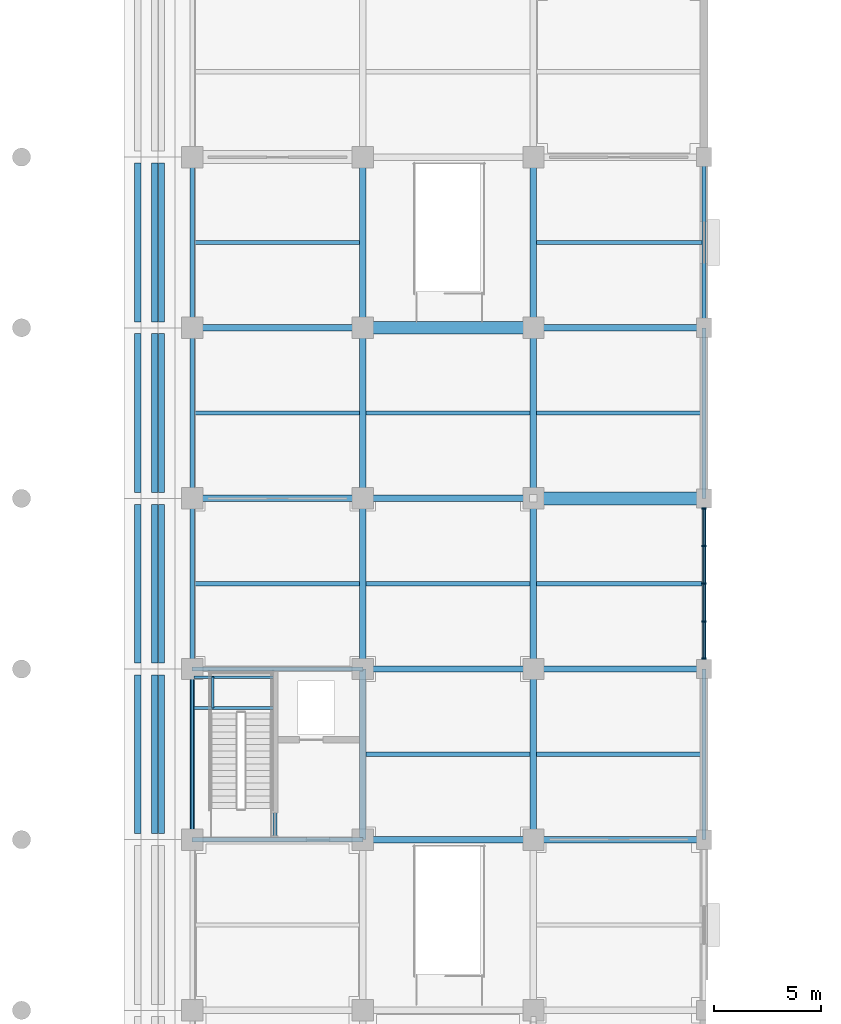
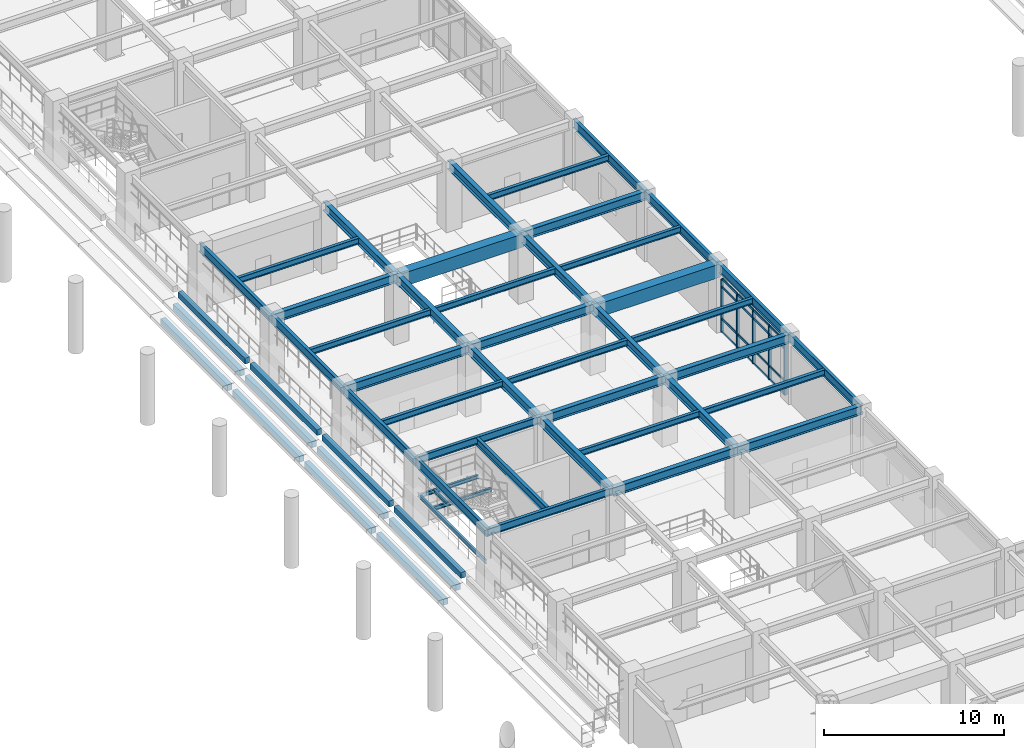
# One storey, part 35 of 117: 55 beams, 21 members, 1 element without a shape of its own.
"""IFC4 building model written with IfcOpenShell, lengths in metres."""

from ifc_helpers import new_model, si_unit, direction, frame, origin, origin_2d, place, context, subcontext, project, spatial, rectangle, i_section, extrude, material, layer, layer_set, material_profile, profile_set, type_object, element, aggregate, save


model = new_model("IFC4")

# Units and contexts
model_context = context("Model", 3, precision=1e-05, world=origin(), true_north=direction((0.0, 1.0)))
body_context = subcontext(model_context, "Body", "Model", "MODEL_VIEW")
ifc_project = project(units=[si_unit("LENGTHUNIT", "METRE"), si_unit("AREAUNIT", "SQUARE_METRE"), si_unit("VOLUMEUNIT", "CUBIC_METRE"), si_unit("PLANEANGLEUNIT", "RADIAN"), si_unit("MASSUNIT", "GRAM", prefix="KILO")], contexts=[model_context])

# Site, building, storey
site_placement = place(None, origin())
site = spatial("IfcSite", under=ifc_project, at=site_placement, CompositionType="ELEMENT")
building_placement = place(site_placement, origin())
building = spatial("IfcBuilding", under=site, at=building_placement, Name="Haebicheon Civic Stadium", CompositionType="ELEMENT")
storey_placement = place(building_placement, frame((0.0, 0.0, 4.800048828125)))
storey = spatial("IfcBuildingStorey", under=building, at=storey_placement, Name="L02", CompositionType="ELEMENT", Elevation=4.800048828125)

# Beams
ifc_material_1 = material(Name="Precast concrete C40/50", Category="concrete")
ifc_material_profile_1 = material_profile(ifc_material_1, rectangle(XDim=0.300048828125, YDim=0.39990234375, at=origin_2d()), Name="PC-LN-300x400")
ifc_profile_set_1 = profile_set([ifc_material_profile_1], Name="Precast concrete C40/50")
beam_type_1 = type_object("IfcBeamType", Name="BM-LN-300x400", PredefinedType="LINTEL", material=ifc_profile_set_1)
for number, where, z_axis, x_axis, name in (
    (1, (141.43994140625, 64.280029296875, 0.22705078125), (0.0, 1.0, 0.0), (-1.0, 0.0, 0.0), "TIER-E-L precast step carrier beam 3.7"),
    (2, (142.239990234375, 64.280029296875, 0.93798828125), (0.0, 1.0, 0.0), (-1.0, 0.0, 0.0), "TIER-E-L precast step carrier beam 3.8"),
    (3, (142.56005859375, 64.280029296875, 1.64892578125), (0.0, 1.0, 0.0), (-1.0, 0.0, 0.0), "TIER-E-L precast step carrier beam 3.9"),
    (4, (141.43994140625, 72.280029296875, 0.22705078125), (0.0, 1.0, 0.0), (-1.0, 0.0, 0.0), "TIER-E-L precast step carrier beam 4.7"),
    (5, (142.239990234375, 72.280029296875, 0.93798828125), (0.0, 1.0, 0.0), (-1.0, 0.0, 0.0), "TIER-E-L precast step carrier beam 4.8"),
    (6, (142.56005859375, 72.280029296875, 1.64892578125), (0.0, 1.0, 0.0), (-1.0, 0.0, 0.0), "TIER-E-L precast step carrier beam 4.9"),
    (7, (141.43994140625, 80.280029296875, 0.22705078125), (0.0, 1.0, 0.0), (-1.0, 0.0, 0.0), "TIER-E-L precast step carrier beam 5.7"),
    (8, (142.239990234375, 80.280029296875, 0.93798828125), (0.0, 1.0, 0.0), (-1.0, 0.0, 0.0), "TIER-E-L precast step carrier beam 5.8"),
    (9, (142.56005859375, 80.280029296875, 1.64892578125), (0.0, 1.0, 0.0), (-1.0, 0.0, 0.0), "TIER-E-L precast step carrier beam 5.9"),
    (10, (141.43994140625, 88.280029296875, 0.22705078125), (0.0, 1.0, 0.0), (-1.0, 0.0, 0.0), "TIER-E-L precast step carrier beam 6.7"),
    (11, (142.239990234375, 88.280029296875, 0.93798828125), (0.0, 1.0, 0.0), (-1.0, 0.0, 0.0), "TIER-E-L precast step carrier beam 6.8"),
    (12, (142.56005859375, 88.280029296875, 1.64892578125), (0.0, 1.0, 0.0), (-1.0, 0.0, 0.0), "TIER-E-L precast step carrier beam 6.9"),
):
    element("IfcBeam", number, at=place(storey_placement, frame(where, z_axis=z_axis, x_axis=x_axis)), inside=storey, type_object=beam_type_1, material=ifc_profile_set_1, Name=name, PredefinedType="LINTEL", context=body_context, shape_type="SweptSolid", body=[
        extrude(rectangle(XDim=0.300048828125, YDim=0.39990234375, at=origin_2d()), origin(), (0.0, 0.0, 1.0), 7.43994140625),
    ])
ifc_material_2 = material(Name="Concrete C40/50", Category="concrete")
ifc_material_profile_2 = material_profile(ifc_material_2, rectangle(XDim=0.60009765625, YDim=0.89990234375, at=origin_2d()), Name="RC-BM-600x900")
ifc_profile_set_2 = profile_set([ifc_material_profile_2], Name="Concrete C40/50")
beam_type_2 = type_object("IfcBeamType", Name="BM-RC-600x900", PredefinedType="BEAM", material=ifc_profile_set_2)
for number, where, z_axis, x_axis, name in (
    (13, (152.0, 88.0, 4.070068359375), (1.0, 0.0, 0.0), (0.0, 1.0, 0.0), "L02 beam M/20-21"),
    (14, (160.0, 80.0, 4.070068359375), (1.0, 0.0, 0.0), (0.0, 1.0, 0.0), "L02 beam L/21-22"),
):
    element("IfcBeam", number, at=place(storey_placement, frame(where, z_axis=z_axis, x_axis=x_axis)), inside=storey, type_object=beam_type_2, material=ifc_profile_set_2, Name=name, PredefinedType="BEAM", context=body_context, shape_type="SweptSolid", body=[
        extrude(rectangle(XDim=0.60009765625, YDim=0.89990234375, at=origin_2d()), origin(), (0.0, 0.0, 1.0), 8.0),
    ])
ifc_material_3 = material(Name="Steel SM355 (S355)", Category="steel")
ifc_material_profile_3 = material_profile(ifc_material_3, i_section(OverallWidth=0.199951171875, OverallDepth=0.5, WebThickness=0.010009765625, FlangeThickness=0.01611328125, at=origin_2d()), Name="H-500x200x10x16")
ifc_profile_set_3 = profile_set([ifc_material_profile_3], Name="Steel SM355 (S355)")
beam_type_3 = type_object("IfcBeamType", Name="BM-ST-H500", PredefinedType="BEAM", material=ifc_profile_set_3)
for number, where, z_axis, x_axis, name in (
    (15, (144.0, 64.0, 4.27001953125), (1.0, 0.0, 0.0), (0.0, 1.0, 0.0), "L02 beam J/19-20"),
    (16, (144.0, 72.0, 4.27001953125), (1.0, 0.0, 0.0), (0.0, 1.0, 0.0), "L02 beam K/19-20"),
):
    element("IfcBeam", number, at=place(storey_placement, frame(where, z_axis=z_axis, x_axis=x_axis)), inside=storey, type_object=beam_type_3, material=ifc_profile_set_3, Name=name, PredefinedType="BEAM", context=body_context, shape_type="SweptSolid", body=[
        extrude(i_section(OverallWidth=0.199951171875, OverallDepth=0.5, WebThickness=0.010009765625, FlangeThickness=0.01611328125, at=origin_2d()), origin(), (0.0, 0.0, 1.0), 8.0),
    ])
beam_1_placement = place(storey_placement, frame((147.8798828125, 64.10009765625, 4.27001953125), z_axis=(0.0, 1.0, 0.0), x_axis=(-1.0, 0.0, 0.0)))
element("IfcBeam", 17, at=beam_1_placement, inside=storey, type_object=beam_type_3, material=ifc_profile_set_3, Name="L02 KC-10 core dividing wall support beam", PredefinedType="BEAM", context=body_context, shape_type="SweptSolid", body=[
    extrude(i_section(OverallWidth=0.199951171875, OverallDepth=0.5, WebThickness=0.010009765625, FlangeThickness=0.01611328125, at=origin_2d()), origin(), (0.0, 0.0, 1.0), 7.7998046875),
])
ifc_material_4 = material(Name="Steel SM355 (S355)", Category="steel")
ifc_material_profile_4 = material_profile(ifc_material_4, i_section(OverallWidth=0.300048828125, OverallDepth=0.60009765625, WebThickness=0.011962890625, FlangeThickness=0.02001953125, at=origin_2d()), Name="H-600x300x12x20")
ifc_profile_set_4 = profile_set([ifc_material_profile_4], Name="Steel SM355 (S355)")
beam_type_4 = type_object("IfcBeamType", Name="BM-ST-H600A", PredefinedType="BEAM", material=ifc_profile_set_4)
for number, where, z_axis, x_axis, name in (
    (18, (152.0, 64.0, 4.219970703125), (0.0, 1.0, 0.0), (-1.0, 0.0, 0.0), "L02 girder 20/J-K"),
    (19, (152.0, 72.0, 4.219970703125), (0.0, 1.0, 0.0), (-1.0, 0.0, 0.0), "L02 girder 20/K-L"),
    (20, (152.0, 80.0, 4.219970703125), (0.0, 1.0, 0.0), (-1.0, 0.0, 0.0), "L02 girder 20/L-M"),
    (21, (152.0, 88.0, 4.219970703125), (0.0, 1.0, 0.0), (-1.0, 0.0, 0.0), "L02 girder 20/M-N"),
    (22, (160.0, 64.0, 4.219970703125), (0.0, 1.0, 0.0), (-1.0, 0.0, 0.0), "L02 girder 21/J-K"),
    (23, (160.0, 72.0, 4.219970703125), (0.0, 1.0, 0.0), (-1.0, 0.0, 0.0), "L02 girder 21/K-L"),
    (24, (160.0, 80.0, 4.219970703125), (0.0, 1.0, 0.0), (-1.0, 0.0, 0.0), "L02 girder 21/L-M"),
    (25, (160.0, 88.0, 4.219970703125), (0.0, 1.0, 0.0), (-1.0, 0.0, 0.0), "L02 girder 21/M-N"),
    (26, (144.0, 80.0, 4.219970703125), (1.0, 0.0, 0.0), (0.0, 1.0, 0.0), "L02 beam L/19-20"),
    (27, (144.0, 88.0, 4.219970703125), (1.0, 0.0, 0.0), (0.0, 1.0, 0.0), "L02 beam M/19-20"),
    (28, (152.0, 64.0, 4.219970703125), (1.0, 0.0, 0.0), (0.0, 1.0, 0.0), "L02 beam J/20-21"),
    (29, (152.0, 72.0, 4.219970703125), (1.0, 0.0, 0.0), (0.0, 1.0, 0.0), "L02 beam K/20-21"),
    (30, (152.0, 80.0, 4.219970703125), (1.0, 0.0, 0.0), (0.0, 1.0, 0.0), "L02 beam L/20-21"),
    (31, (160.0, 64.0, 4.219970703125), (1.0, 0.0, 0.0), (0.0, 1.0, 0.0), "L02 beam J/21-22"),
    (32, (160.0, 72.0, 4.219970703125), (1.0, 0.0, 0.0), (0.0, 1.0, 0.0), "L02 beam K/21-22"),
    (33, (160.0, 88.0, 4.219970703125), (1.0, 0.0, 0.0), (0.0, 1.0, 0.0), "L02 beam M/21-22"),
):
    element("IfcBeam", number, at=place(storey_placement, frame(where, z_axis=z_axis, x_axis=x_axis)), inside=storey, type_object=beam_type_4, material=ifc_profile_set_4, Name=name, PredefinedType="BEAM", context=body_context, shape_type="SweptSolid", body=[
        extrude(i_section(OverallWidth=0.300048828125, OverallDepth=0.60009765625, WebThickness=0.011962890625, FlangeThickness=0.02001953125, at=origin_2d()), origin(), (0.0, 0.0, 1.0), 8.0),
    ])

# Curtain wall, members
ifc_material_5 = material(Name="Anodised aluminium and laminated glass", Category="aluminium")
ifc_layer = layer(ifc_material_5, 0.179931640625, Name="Anodised aluminium and laminated glass")
ifc_layer_set = layer_set([ifc_layer], Name="Anodised aluminium and laminated glass")
curtain_wall_type = type_object("IfcCurtainWallType", Name="CW-7100x3610", PredefinedType="NOTDEFINED", material=ifc_layer_set)
curtain_wall_placement = place(storey_placement, origin())
curtain_wall = element("IfcCurtainWall", 34, at=curtain_wall_placement, inside=storey, type_object=curtain_wall_type, material=ifc_layer_set, Name="L02 unitised curtain wall 055", PredefinedType="NOTDEFINED")
ifc_material_6 = material(Name="Anodised aluminium 6063-T6", Category="aluminium")
ifc_material_profile_5 = material_profile(ifc_material_6, rectangle(XDim=0.070068359375, YDim=0.199951171875, at=origin_2d()), Name="ALU-MULL-70x200")
ifc_profile_set_5 = profile_set([ifc_material_profile_5], Name="Anodised aluminium 6063-T6")
member_type_1 = type_object("IfcMemberType", Name="CWM-200x70", PredefinedType="MULLION", material=ifc_profile_set_5)
member_1_placement = place(storey_placement, frame((168.0, 72.485107421875, 0.0), z_axis=(0.0, 0.0, 1.0), x_axis=(0.0, 1.0, 0.0)))
member_1 = element("IfcMember", 35, at=member_1_placement, type_object=member_type_1, material=ifc_profile_set_5, Name="CW-L02-055 vertical mullion 1", PredefinedType="MULLION", context=body_context, shape_type="SweptSolid", body=[
    extrude(rectangle(XDim=0.070068359375, YDim=0.199951171875, at=origin_2d()), origin(), (0.0, 0.0, 1.0), 3.60986328125),
])
member_2_placement = place(storey_placement, frame((168.0, 74.22509765625, 0.0), z_axis=(0.0, 0.0, 1.0), x_axis=(0.0, 1.0, 0.0)))
member_2 = element("IfcMember", 36, at=member_2_placement, type_object=member_type_1, material=ifc_profile_set_5, Name="CW-L02-055 vertical mullion 2", PredefinedType="MULLION", context=body_context, shape_type="SweptSolid", body=[
    extrude(rectangle(XDim=0.070068359375, YDim=0.199951171875, at=origin_2d()), origin(), (0.0, 0.0, 1.0), 3.60986328125),
])
member_3_placement = place(storey_placement, frame((168.0, 76.0, 0.0), z_axis=(0.0, 0.0, 1.0), x_axis=(0.0, 1.0, 0.0)))
member_3 = element("IfcMember", 37, at=member_3_placement, type_object=member_type_1, material=ifc_profile_set_5, Name="CW-L02-055 vertical mullion 3", PredefinedType="MULLION", context=body_context, shape_type="SweptSolid", body=[
    extrude(rectangle(XDim=0.070068359375, YDim=0.199951171875, at=origin_2d()), origin(), (0.0, 0.0, 1.0), 3.60986328125),
])
member_4_placement = place(storey_placement, frame((168.0, 77.77490234375, 0.0), z_axis=(0.0, 0.0, 1.0), x_axis=(0.0, 1.0, 0.0)))
member_4 = element("IfcMember", 38, at=member_4_placement, type_object=member_type_1, material=ifc_profile_set_5, Name="CW-L02-055 vertical mullion 4", PredefinedType="MULLION", context=body_context, shape_type="SweptSolid", body=[
    extrude(rectangle(XDim=0.070068359375, YDim=0.199951171875, at=origin_2d()), origin(), (0.0, 0.0, 1.0), 3.60986328125),
])
member_5_placement = place(storey_placement, frame((168.0, 79.514892578125, 0.0), z_axis=(0.0, 0.0, 1.0), x_axis=(0.0, 1.0, 0.0)))
member_5 = element("IfcMember", 39, at=member_5_placement, type_object=member_type_1, material=ifc_profile_set_5, Name="CW-L02-055 vertical mullion 5", PredefinedType="MULLION", context=body_context, shape_type="SweptSolid", body=[
    extrude(rectangle(XDim=0.070068359375, YDim=0.199951171875, at=origin_2d()), origin(), (0.0, 0.0, 1.0), 3.60986328125),
])
ifc_material_7 = material(Name="Anodised aluminium 6063-T6", Category="aluminium")
ifc_material_profile_6 = material_profile(ifc_material_7, rectangle(XDim=0.070068359375, YDim=0.14990234375, at=origin_2d()), Name="ALU-TRAN-70x150")
ifc_profile_set_6 = profile_set([ifc_material_profile_6], Name="Anodised aluminium 6063-T6")
member_type_2 = type_object("IfcMemberType", Name="CWT-150x70", PredefinedType="NOTDEFINED", material=ifc_profile_set_6)
member_6_placement = place(storey_placement, frame((168.0, 72.52001953125, 0.0), z_axis=(0.0, 1.0, 0.0), x_axis=(-1.0, 0.0, 0.0)))
member_6 = element("IfcMember", 40, at=member_6_placement, type_object=member_type_2, material=ifc_profile_set_6, Name="CW-L02-055 horizontal transom 1.1", ObjectType="TRANSOM", PredefinedType="USERDEFINED", context=body_context, shape_type="SweptSolid", body=[
    extrude(rectangle(XDim=0.070068359375, YDim=0.14990234375, at=origin_2d()), origin(), (0.0, 0.0, 1.0), 1.669921875),
])
member_7_placement = place(storey_placement, frame((168.0, 72.52001953125, 0.89990234375), z_axis=(0.0, 1.0, 0.0), x_axis=(-1.0, 0.0, 0.0)))
member_7 = element("IfcMember", 41, at=member_7_placement, type_object=member_type_2, material=ifc_profile_set_6, Name="CW-L02-055 horizontal transom 1.2", ObjectType="TRANSOM", PredefinedType="USERDEFINED", context=body_context, shape_type="SweptSolid", body=[
    extrude(rectangle(XDim=0.070068359375, YDim=0.14990234375, at=origin_2d()), origin(), (0.0, 0.0, 1.0), 1.669921875),
])
member_8_placement = place(storey_placement, frame((168.0, 72.52001953125, 3.06005859375), z_axis=(0.0, 1.0, 0.0), x_axis=(-1.0, 0.0, 0.0)))
member_8 = element("IfcMember", 42, at=member_8_placement, type_object=member_type_2, material=ifc_profile_set_6, Name="CW-L02-055 horizontal transom 1.3", ObjectType="TRANSOM", PredefinedType="USERDEFINED", context=body_context, shape_type="SweptSolid", body=[
    extrude(rectangle(XDim=0.070068359375, YDim=0.14990234375, at=origin_2d()), origin(), (0.0, 0.0, 1.0), 1.669921875),
])
member_9_placement = place(storey_placement, frame((168.0, 72.52001953125, 3.60986328125), z_axis=(0.0, 1.0, 0.0), x_axis=(-1.0, 0.0, 0.0)))
member_9 = element("IfcMember", 43, at=member_9_placement, type_object=member_type_2, material=ifc_profile_set_6, Name="CW-L02-055 horizontal transom 1.4", ObjectType="TRANSOM", PredefinedType="USERDEFINED", context=body_context, shape_type="SweptSolid", body=[
    extrude(rectangle(XDim=0.070068359375, YDim=0.14990234375, at=origin_2d()), origin(), (0.0, 0.0, 1.0), 1.669921875),
])
member_10_placement = place(storey_placement, frame((168.0, 74.260009765625, 0.0), z_axis=(0.0, 1.0, 0.0), x_axis=(-1.0, 0.0, 0.0)))
member_10 = element("IfcMember", 44, at=member_10_placement, type_object=member_type_2, material=ifc_profile_set_6, Name="CW-L02-055 horizontal transom 2.1", ObjectType="TRANSOM", PredefinedType="USERDEFINED", context=body_context, shape_type="SweptSolid", body=[
    extrude(rectangle(XDim=0.070068359375, YDim=0.14990234375, at=origin_2d()), origin(), (0.0, 0.0, 1.0), 1.705078125),
])
member_11_placement = place(storey_placement, frame((168.0, 74.260009765625, 0.89990234375), z_axis=(0.0, 1.0, 0.0), x_axis=(-1.0, 0.0, 0.0)))
member_11 = element("IfcMember", 45, at=member_11_placement, type_object=member_type_2, material=ifc_profile_set_6, Name="CW-L02-055 horizontal transom 2.2", ObjectType="TRANSOM", PredefinedType="USERDEFINED", context=body_context, shape_type="SweptSolid", body=[
    extrude(rectangle(XDim=0.070068359375, YDim=0.14990234375, at=origin_2d()), origin(), (0.0, 0.0, 1.0), 1.705078125),
])
member_12_placement = place(storey_placement, frame((168.0, 74.260009765625, 3.06005859375), z_axis=(0.0, 1.0, 0.0), x_axis=(-1.0, 0.0, 0.0)))
member_12 = element("IfcMember", 46, at=member_12_placement, type_object=member_type_2, material=ifc_profile_set_6, Name="CW-L02-055 horizontal transom 2.3", ObjectType="TRANSOM", PredefinedType="USERDEFINED", context=body_context, shape_type="SweptSolid", body=[
    extrude(rectangle(XDim=0.070068359375, YDim=0.14990234375, at=origin_2d()), origin(), (0.0, 0.0, 1.0), 1.705078125),
])
member_13_placement = place(storey_placement, frame((168.0, 74.260009765625, 3.60986328125), z_axis=(0.0, 1.0, 0.0), x_axis=(-1.0, 0.0, 0.0)))
member_13 = element("IfcMember", 47, at=member_13_placement, type_object=member_type_2, material=ifc_profile_set_6, Name="CW-L02-055 horizontal transom 2.4", ObjectType="TRANSOM", PredefinedType="USERDEFINED", context=body_context, shape_type="SweptSolid", body=[
    extrude(rectangle(XDim=0.070068359375, YDim=0.14990234375, at=origin_2d()), origin(), (0.0, 0.0, 1.0), 1.705078125),
])
member_14_placement = place(storey_placement, frame((168.0, 76.034912109375, 0.0), z_axis=(0.0, 1.0, 0.0), x_axis=(-1.0, 0.0, 0.0)))
member_14 = element("IfcMember", 48, at=member_14_placement, type_object=member_type_2, material=ifc_profile_set_6, Name="CW-L02-055 horizontal transom 3.1", ObjectType="TRANSOM", PredefinedType="USERDEFINED", context=body_context, shape_type="SweptSolid", body=[
    extrude(rectangle(XDim=0.070068359375, YDim=0.14990234375, at=origin_2d()), origin(), (0.0, 0.0, 1.0), 1.705078125),
])
member_15_placement = place(storey_placement, frame((168.0, 76.034912109375, 0.89990234375), z_axis=(0.0, 1.0, 0.0), x_axis=(-1.0, 0.0, 0.0)))
member_15 = element("IfcMember", 49, at=member_15_placement, type_object=member_type_2, material=ifc_profile_set_6, Name="CW-L02-055 horizontal transom 3.2", ObjectType="TRANSOM", PredefinedType="USERDEFINED", context=body_context, shape_type="SweptSolid", body=[
    extrude(rectangle(XDim=0.070068359375, YDim=0.14990234375, at=origin_2d()), origin(), (0.0, 0.0, 1.0), 1.705078125),
])
member_16_placement = place(storey_placement, frame((168.0, 76.034912109375, 3.06005859375), z_axis=(0.0, 1.0, 0.0), x_axis=(-1.0, 0.0, 0.0)))
member_16 = element("IfcMember", 50, at=member_16_placement, type_object=member_type_2, material=ifc_profile_set_6, Name="CW-L02-055 horizontal transom 3.3", ObjectType="TRANSOM", PredefinedType="USERDEFINED", context=body_context, shape_type="SweptSolid", body=[
    extrude(rectangle(XDim=0.070068359375, YDim=0.14990234375, at=origin_2d()), origin(), (0.0, 0.0, 1.0), 1.705078125),
])
member_17_placement = place(storey_placement, frame((168.0, 76.034912109375, 3.60986328125), z_axis=(0.0, 1.0, 0.0), x_axis=(-1.0, 0.0, 0.0)))
member_17 = element("IfcMember", 51, at=member_17_placement, type_object=member_type_2, material=ifc_profile_set_6, Name="CW-L02-055 horizontal transom 3.4", ObjectType="TRANSOM", PredefinedType="USERDEFINED", context=body_context, shape_type="SweptSolid", body=[
    extrude(rectangle(XDim=0.070068359375, YDim=0.14990234375, at=origin_2d()), origin(), (0.0, 0.0, 1.0), 1.705078125),
])
member_18_placement = place(storey_placement, frame((168.0, 77.81005859375, 0.0), z_axis=(0.0, 1.0, 0.0), x_axis=(-1.0, 0.0, 0.0)))
member_18 = element("IfcMember", 52, at=member_18_placement, type_object=member_type_2, material=ifc_profile_set_6, Name="CW-L02-055 horizontal transom 4.1", ObjectType="TRANSOM", PredefinedType="USERDEFINED", context=body_context, shape_type="SweptSolid", body=[
    extrude(rectangle(XDim=0.070068359375, YDim=0.14990234375, at=origin_2d()), origin(), (0.0, 0.0, 1.0), 1.669921875),
])
member_19_placement = place(storey_placement, frame((168.0, 77.81005859375, 0.89990234375), z_axis=(0.0, 1.0, 0.0), x_axis=(-1.0, 0.0, 0.0)))
member_19 = element("IfcMember", 53, at=member_19_placement, type_object=member_type_2, material=ifc_profile_set_6, Name="CW-L02-055 horizontal transom 4.2", ObjectType="TRANSOM", PredefinedType="USERDEFINED", context=body_context, shape_type="SweptSolid", body=[
    extrude(rectangle(XDim=0.070068359375, YDim=0.14990234375, at=origin_2d()), origin(), (0.0, 0.0, 1.0), 1.669921875),
])
member_20_placement = place(storey_placement, frame((168.0, 77.81005859375, 3.06005859375), z_axis=(0.0, 1.0, 0.0), x_axis=(-1.0, 0.0, 0.0)))
member_20 = element("IfcMember", 54, at=member_20_placement, type_object=member_type_2, material=ifc_profile_set_6, Name="CW-L02-055 horizontal transom 4.3", ObjectType="TRANSOM", PredefinedType="USERDEFINED", context=body_context, shape_type="SweptSolid", body=[
    extrude(rectangle(XDim=0.070068359375, YDim=0.14990234375, at=origin_2d()), origin(), (0.0, 0.0, 1.0), 1.669921875),
])
member_21_placement = place(storey_placement, frame((168.0, 77.81005859375, 3.60986328125), z_axis=(0.0, 1.0, 0.0), x_axis=(-1.0, 0.0, 0.0)))
member_21 = element("IfcMember", 55, at=member_21_placement, type_object=member_type_2, material=ifc_profile_set_6, Name="CW-L02-055 horizontal transom 4.4", ObjectType="TRANSOM", PredefinedType="USERDEFINED", context=body_context, shape_type="SweptSolid", body=[
    extrude(rectangle(XDim=0.070068359375, YDim=0.14990234375, at=origin_2d()), origin(), (0.0, 0.0, 1.0), 1.669921875),
])
aggregate(curtain_wall, [member_1, member_2, member_3, member_4, member_5, member_6, member_7, member_8, member_9, member_10, member_11, member_12, member_13, member_14, member_15, member_16, member_17, member_18, member_19, member_20, member_21])

# Beams
ifc_material_8 = material(Name="Steel SM355 (S355)", Category="steel")
ifc_material_profile_7 = material_profile(ifc_material_8, i_section(OverallWidth=0.125, OverallDepth=0.25, WebThickness=0.006103515625, FlangeThickness=0.009033203125, at=origin_2d()), Name="H-250x125x6x9")
ifc_profile_set_7 = profile_set([ifc_material_profile_7], Name="Steel SM355 (S355)")
beam_type_5 = type_object("IfcBeamType", Name="JST-ST-H250", PredefinedType="JOIST", material=ifc_profile_set_7)
beam_2_placement = place(storey_placement, frame((144.0, 64.199951171875, 2.072021484375), z_axis=(0.0, 1.0, 0.0), x_axis=(-1.0, 0.0, 0.0)))
element("IfcBeam", 56, at=beam_2_placement, inside=storey, type_object=beam_type_5, material=ifc_profile_set_7, Name="KC-10 L02 stair west grid landing carrier beam", PredefinedType="JOIST", context=body_context, shape_type="SweptSolid", body=[
    extrude(i_section(OverallWidth=0.125, OverallDepth=0.25, WebThickness=0.006103515625, FlangeThickness=0.009033203125, at=origin_2d()), origin(), (0.0, 0.0, 1.0), 7.60009765625),
])
for number, where, z_axis, x_axis, name in (
    (57, (144.080078125, 70.169921875, 2.072021484375), (1.0, 0.0, 0.0), (0.0, 1.0, 0.0), "KC-10 L02 stair half-landing front trimmer beam"),
    (58, (144.080078125, 71.6201171875, 2.072021484375), (1.0, 0.0, 0.0), (0.0, 1.0, 0.0), "KC-10 L02 stair half-landing rear trimmer beam"),
):
    element("IfcBeam", number, at=place(storey_placement, frame(where, z_axis=z_axis, x_axis=x_axis)), inside=storey, type_object=beam_type_5, material=ifc_profile_set_7, Name=name, PredefinedType="JOIST", context=body_context, shape_type="SweptSolid", body=[
        extrude(i_section(OverallWidth=0.125, OverallDepth=0.25, WebThickness=0.006103515625, FlangeThickness=0.009033203125, at=origin_2d()), origin(), (0.0, 0.0, 1.0), 3.719970703125),
    ])
beam_3_placement = place(storey_placement, frame((144.9599609375, 70.169921875, 2.072021484375), z_axis=(0.0, 1.0, 0.0), x_axis=(-1.0, 0.0, 0.0)))
element("IfcBeam", 59, at=beam_3_placement, inside=storey, type_object=beam_type_5, material=ifc_profile_set_7, Name="KC-10 L02 stair half-landing transverse tie beam", PredefinedType="JOIST", context=body_context, shape_type="SweptSolid", body=[
    extrude(i_section(OverallWidth=0.125, OverallDepth=0.25, WebThickness=0.006103515625, FlangeThickness=0.009033203125, at=origin_2d()), origin(), (0.0, 0.0, 1.0), 1.4501953125),
])
ifc_material_9 = material(Name="Steel SM355 (S355)", Category="steel")
ifc_material_profile_8 = material_profile(ifc_material_9, i_section(OverallWidth=0.199951171875, OverallDepth=0.39990234375, WebThickness=0.008056640625, FlangeThickness=0.012939453125, at=origin_2d()), Name="H-400x200x8x13")
ifc_profile_set_8 = profile_set([ifc_material_profile_8], Name="Steel SM355 (S355)")
beam_type_6 = type_object("IfcBeamType", Name="JST-ST-H400", PredefinedType="JOIST", material=ifc_profile_set_8)
for number, where, z_axis, x_axis, name in (
    (60, (144.10009765625, 76.0, 4.320068359375), (1.0, 0.0, 0.0), (0.0, 1.0, 0.0), "L02 secondary joist 18-09"),
    (61, (144.10009765625, 84.0, 4.320068359375), (1.0, 0.0, 0.0), (0.0, 1.0, 0.0), "L02 secondary joist 18-10"),
    (62, (144.10009765625, 92.0, 4.320068359375), (1.0, 0.0, 0.0), (0.0, 1.0, 0.0), "L02 secondary joist 18-11"),
):
    element("IfcBeam", number, at=place(storey_placement, frame(where, z_axis=z_axis, x_axis=x_axis)), inside=storey, type_object=beam_type_6, material=ifc_profile_set_8, Name=name, PredefinedType="JOIST", context=body_context, shape_type="SweptSolid", body=[
        extrude(i_section(OverallWidth=0.199951171875, OverallDepth=0.39990234375, WebThickness=0.008056640625, FlangeThickness=0.012939453125, at=origin_2d()), origin(), (0.0, 0.0, 1.0), 7.75),
    ])
for number, where, z_axis, x_axis, name in (
    (63, (152.14990234375, 68.0, 4.320068359375), (1.0, 0.0, 0.0), (0.0, 1.0, 0.0), "L02 secondary joist 19-08"),
    (64, (152.14990234375, 76.0, 4.320068359375), (1.0, 0.0, 0.0), (0.0, 1.0, 0.0), "L02 secondary joist 19-09"),
    (65, (152.14990234375, 84.0, 4.320068359375), (1.0, 0.0, 0.0), (0.0, 1.0, 0.0), "L02 secondary joist 19-10"),
):
    element("IfcBeam", number, at=place(storey_placement, frame(where, z_axis=z_axis, x_axis=x_axis)), inside=storey, type_object=beam_type_6, material=ifc_profile_set_8, Name=name, PredefinedType="JOIST", context=body_context, shape_type="SweptSolid", body=[
        extrude(i_section(OverallWidth=0.199951171875, OverallDepth=0.39990234375, WebThickness=0.008056640625, FlangeThickness=0.012939453125, at=origin_2d()), origin(), (0.0, 0.0, 1.0), 7.7001953125),
    ])
for number, where, z_axis, x_axis, name in (
    (66, (160.14990234375, 68.0, 4.320068359375), (1.0, 0.0, 0.0), (0.0, 1.0, 0.0), "L02 secondary joist 20-08"),
    (67, (160.14990234375, 76.0, 4.320068359375), (1.0, 0.0, 0.0), (0.0, 1.0, 0.0), "L02 secondary joist 20-09"),
    (68, (160.14990234375, 84.0, 4.320068359375), (1.0, 0.0, 0.0), (0.0, 1.0, 0.0), "L02 secondary joist 20-10"),
    (69, (160.14990234375, 92.0, 4.320068359375), (1.0, 0.0, 0.0), (0.0, 1.0, 0.0), "L02 secondary joist 20-11"),
):
    element("IfcBeam", number, at=place(storey_placement, frame(where, z_axis=z_axis, x_axis=x_axis)), inside=storey, type_object=beam_type_6, material=ifc_profile_set_8, Name=name, PredefinedType="JOIST", context=body_context, shape_type="SweptSolid", body=[
        extrude(i_section(OverallWidth=0.199951171875, OverallDepth=0.39990234375, WebThickness=0.008056640625, FlangeThickness=0.012939453125, at=origin_2d()), origin(), (0.0, 0.0, 1.0), 7.75),
    ])
ifc_material_10 = material(Name="Steel SM355 (S355)", Category="steel")
ifc_material_profile_9 = material_profile(ifc_material_10, i_section(OverallWidth=0.199951171875, OverallDepth=0.60009765625, WebThickness=0.010986328125, FlangeThickness=0.01708984375, at=origin_2d()), Name="H-600x200x11x17")
ifc_profile_set_9 = profile_set([ifc_material_profile_9], Name="Steel SM355 (S355)")
beam_type_7 = type_object("IfcBeamType", Name="SPD-ST-H600B", PredefinedType="SPANDREL", material=ifc_profile_set_9)
for number, where, z_axis, x_axis, name in (
    (70, (144.0, 64.0, 4.219970703125), (0.0, 1.0, 0.0), (-1.0, 0.0, 0.0), "L02 girder 19/J-K"),
    (71, (144.0, 72.0, 4.219970703125), (0.0, 1.0, 0.0), (-1.0, 0.0, 0.0), "L02 girder 19/K-L"),
    (72, (144.0, 80.0, 4.219970703125), (0.0, 1.0, 0.0), (-1.0, 0.0, 0.0), "L02 girder 19/L-M"),
    (73, (144.0, 88.0, 4.219970703125), (0.0, 1.0, 0.0), (-1.0, 0.0, 0.0), "L02 girder 19/M-N"),
    (74, (168.0, 64.0, 4.219970703125), (0.0, 1.0, 0.0), (-1.0, 0.0, 0.0), "L02 girder 22/J-K"),
    (75, (168.0, 72.0, 4.219970703125), (0.0, 1.0, 0.0), (-1.0, 0.0, 0.0), "L02 girder 22/K-L"),
    (76, (168.0, 80.0, 4.219970703125), (0.0, 1.0, 0.0), (-1.0, 0.0, 0.0), "L02 girder 22/L-M"),
    (77, (168.0, 88.0, 4.219970703125), (0.0, 1.0, 0.0), (-1.0, 0.0, 0.0), "L02 girder 22/M-N"),
):
    element("IfcBeam", number, at=place(storey_placement, frame(where, z_axis=z_axis, x_axis=x_axis)), inside=storey, type_object=beam_type_7, material=ifc_profile_set_9, Name=name, PredefinedType="SPANDREL", context=body_context, shape_type="SweptSolid", body=[
        extrude(i_section(OverallWidth=0.199951171875, OverallDepth=0.60009765625, WebThickness=0.010986328125, FlangeThickness=0.01708984375, at=origin_2d()), origin(), (0.0, 0.0, 1.0), 8.0),
    ])

save(model, "model.ifc")
